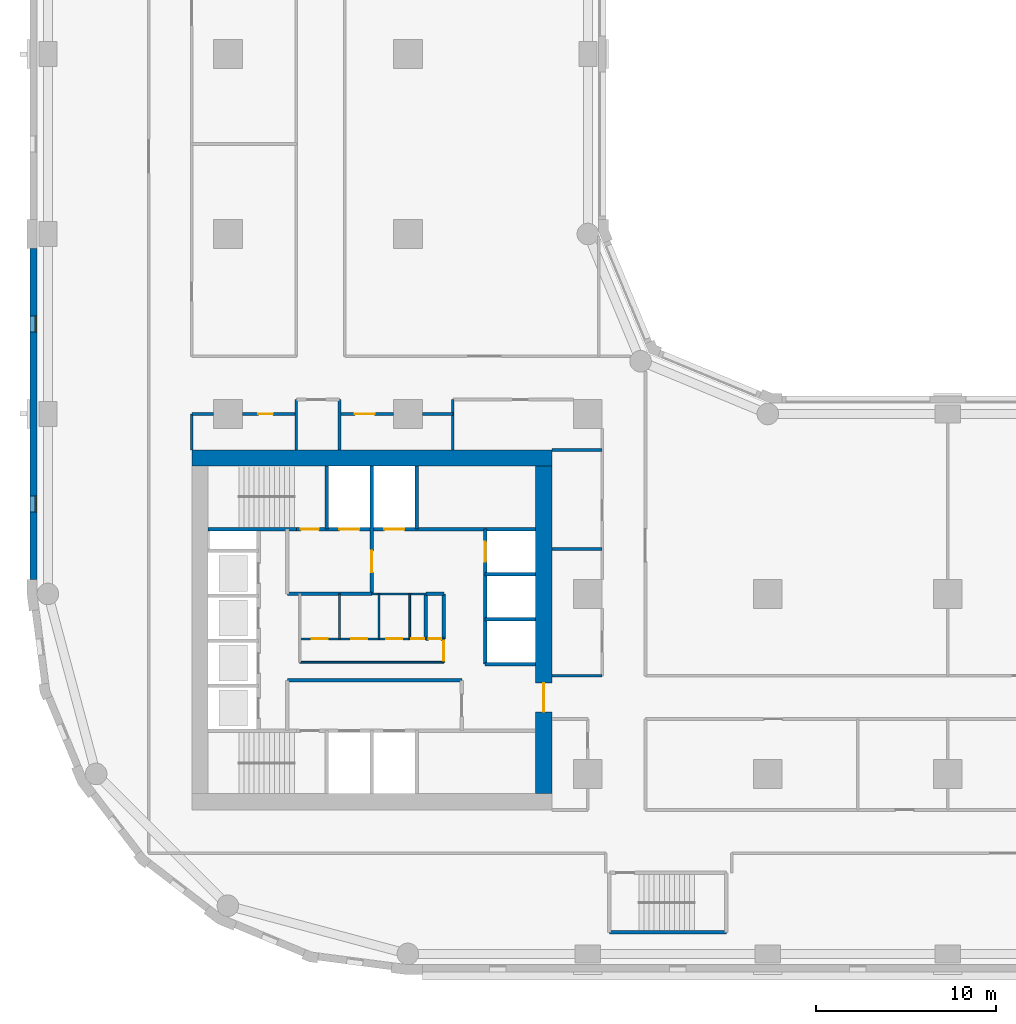
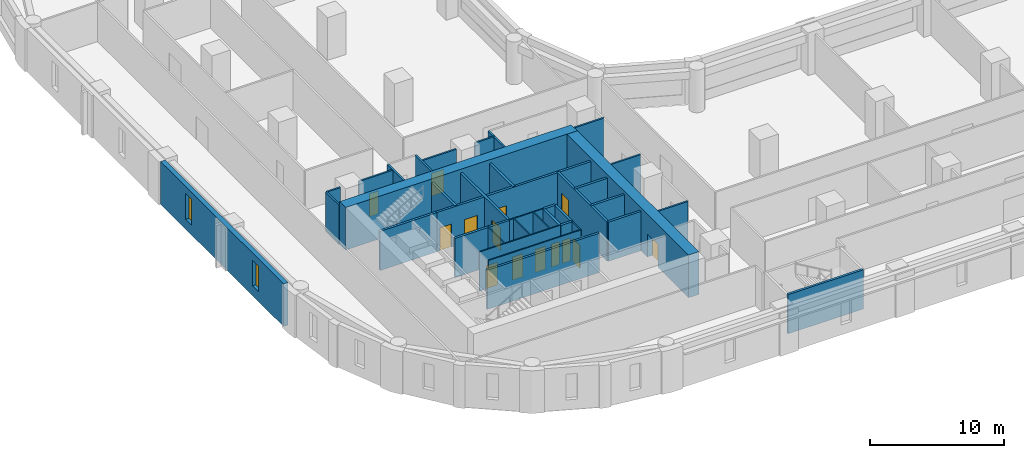
# One storey, part 3 of 10: 37 walls, 14 doors, 2 windows, 16 openings.
"""IFC4 building model written with IfcOpenShell, lengths in metres."""

from ifc_helpers import new_model, si_unit, direction, frame, frame_2d, origin, place, context, subcontext, project, spatial, rectangle, extrude, material, layer, layer_set, type_object, element, fill, save


model = new_model("IFC4")

# Units and contexts
model_context = context("Model", 3, precision=1e-05, world=origin(), true_north=direction((0.0, 1.0)))
body_context = subcontext(model_context, "Body", "Model", "MODEL_VIEW")
ifc_project = project(units=[si_unit("LENGTHUNIT", "METRE"), si_unit("AREAUNIT", "SQUARE_METRE"), si_unit("VOLUMEUNIT", "CUBIC_METRE"), si_unit("PLANEANGLEUNIT", "RADIAN"), si_unit("MASSUNIT", "GRAM", prefix="KILO")], contexts=[model_context])

# Site, building, storey
site_placement = place(None, origin())
site = spatial("IfcSite", under=ifc_project, at=site_placement, CompositionType="ELEMENT")
building_placement = place(site_placement, origin())
building = spatial("IfcBuilding", under=site, at=building_placement, Name="Qaws Garden Tower", CompositionType="ELEMENT")
storey_placement = place(building_placement, frame((0.0, 0.0, 43.199951171875)))
storey = spatial("IfcBuildingStorey", under=building, at=storey_placement, Name="L10", CompositionType="ELEMENT", Elevation=43.199951171875)

# Wall, openings, windows
ifc_material_1 = material(Name="Buff clay facing brick masonry", Category="masonry")
ifc_layer_1 = layer(ifc_material_1, 0.39990234375)
ifc_layer_set_1 = layer_set([ifc_layer_1], Name="Buff clay facing brick masonry")
wall_type_1 = type_object("IfcWallType", Name="Buff brick infill wall 400", PredefinedType="SOLIDWALL", material=ifc_layer_set_1)
wall_1_placement = place(storey_placement, frame((-0.800048828125, 39.199951171875, 0.0), z_axis=(0.0, 0.0, 1.0), x_axis=(0.0, -1.0, 0.0)))
wall_1 = element("IfcWall", 1, at=wall_1_placement, inside=storey, type_object=wall_type_1, Name="E-L10-infill-25", PredefinedType="SOLIDWALL", context=body_context, shape_type="SweptSolid", body=[
    extrude(rectangle(XDim=18.39990234375, YDim=0.39990234375, at=frame_2d((9.199951171875, 0.0))), origin(), (0.0, 0.0, 1.0), 3.900146484375),
])
opening_1_placement = place(wall_1_placement, frame((3.75, 0.0, 0.89990234375)))
opening_1 = element("IfcOpeningElement", 2, at=opening_1_placement, cuts=wall_1, Name="Opening W09", PredefinedType="OPENING", context=body_context, shape_type="SweptSolid", body=[
    extrude(rectangle(XDim=0.89990234375, YDim=2.35009765625, at=frame_2d((0.449951171875, 1.175048828125))), frame((0.0, 0.2099609375, 0.0), z_axis=(0.0, -1.0, 0.0), x_axis=(1.0, 0.0, 0.0)), (0.0, 0.0, 1.0), 0.419921875),
])
opening_2_placement = place(wall_1_placement, frame((13.75, 0.0, 0.89990234375)))
opening_2 = element("IfcOpeningElement", 3, at=opening_2_placement, cuts=wall_1, Name="Opening W09", PredefinedType="OPENING", context=body_context, shape_type="SweptSolid", body=[
    extrude(rectangle(XDim=0.89990234375, YDim=2.35009765625, at=frame_2d((0.449951171875, 1.175048828125))), frame((0.0, 0.2099609375, 0.0), z_axis=(0.0, -1.0, 0.0), x_axis=(1.0, 0.0, 0.0)), (0.0, 0.0, 1.0), 0.419921875),
])
ifc_material_2 = material(Name="Aluminium framed window, clear glazing", Category="aluminium")
window_type = type_object("IfcWindowType", Name="Slit window 900 x 2350", PartitioningType="SINGLE_PANEL", PredefinedType="WINDOW", material=ifc_material_2)
window_1_placement = place(opening_1_placement, origin())
window_1 = element("IfcWindow", 4, at=window_1_placement, inside=storey, type_object=window_type, Name="E-L10-window-25-0", OverallHeight=2.35009765625, OverallWidth=0.89990234375, PartitioningType="SINGLE_PANEL", PredefinedType="WINDOW", context=body_context, shape_type="SweptSolid", body=[
    extrude(rectangle(XDim=0.89990234375, YDim=2.35009765625, at=frame_2d((0.449951171875, 1.175048828125))), frame((0.0, 0.159912109375, 0.0), z_axis=(0.0, -1.0, 0.0), x_axis=(1.0, 0.0, 0.0)), (0.0, 0.0, 1.0), 0.06005859375),
])
fill(opening_1, window_1)
window_2_placement = place(opening_2_placement, origin())
window_2 = element("IfcWindow", 5, at=window_2_placement, inside=storey, type_object=window_type, Name="E-L10-window-26-0", OverallHeight=2.35009765625, OverallWidth=0.89990234375, PartitioningType="SINGLE_PANEL", PredefinedType="WINDOW", context=body_context, shape_type="SweptSolid", body=[
    extrude(rectangle(XDim=0.89990234375, YDim=2.35009765625, at=frame_2d((0.449951171875, 1.175048828125))), frame((0.0, 0.159912109375, 0.0), z_axis=(0.0, -1.0, 0.0), x_axis=(1.0, 0.0, 0.0)), (0.0, 0.0, 1.0), 0.06005859375),
])
fill(opening_2, window_2)

# Wall
ifc_material_3 = material(Name="Plasterboard")
ifc_layer_2 = layer(ifc_material_3, 0.10009765625)
ifc_layer_set_2 = layer_set([ifc_layer_2], Name="Plasterboard")
wall_type_2 = type_object("IfcWallType", Name="Core partition 100", PredefinedType="PARTITIONING", material=ifc_layer_set_2)
wall_2_placement = place(storey_placement, frame((14.0, 16.199951171875, 0.0), z_axis=(0.0, 0.0, 1.0), x_axis=(1.0, 0.0, 0.0)))
element("IfcWall", 6, at=wall_2_placement, inside=storey, type_object=wall_type_2, Name="Core partition", PredefinedType="PARTITIONING", context=body_context, shape_type="SweptSolid", body=[
    extrude(rectangle(XDim=8.0, YDim=0.10009765625, at=frame_2d((4.0, 0.0))), origin(), (0.0, 0.0, 1.0), 3.580078125),
])

# Wall, openings, doors
wall_3_placement = place(storey_placement, frame((14.0, 17.5, 0.0), z_axis=(0.0, 0.0, 1.0), x_axis=(1.0, 0.0, 0.0)))
wall_3 = element("IfcWall", 7, at=wall_3_placement, inside=storey, type_object=wall_type_2, Name="Core partition", PredefinedType="PARTITIONING", context=body_context, shape_type="SweptSolid", body=[
    extrude(rectangle(XDim=7.0, YDim=0.10009765625, at=frame_2d((3.5, 0.0))), origin(), (0.0, 0.0, 1.0), 3.580078125),
])
opening_3_placement = place(wall_3_placement, frame((0.64990234375, 0.0, 0.0)))
opening_3 = element("IfcOpeningElement", 8, at=opening_3_placement, cuts=wall_3, Name="Opening WD18", PredefinedType="OPENING", context=body_context, shape_type="SweptSolid", body=[
    extrude(rectangle(XDim=0.89990234375, YDim=2.10009765625, at=frame_2d((0.449951171875, 1.050048828125))), frame((0.0, 0.06005859375, 0.0), z_axis=(0.0, -1.0, 0.0), x_axis=(1.0, 0.0, 0.0)), (0.0, 0.0, 1.0), 0.1201171875),
])
opening_4_placement = place(wall_3_placement, frame((2.85009765625, 0.0, 0.0)))
opening_4 = element("IfcOpeningElement", 9, at=opening_4_placement, cuts=wall_3, Name="Opening WD19", PredefinedType="OPENING", context=body_context, shape_type="SweptSolid", body=[
    extrude(rectangle(XDim=0.89990234375, YDim=2.10009765625, at=frame_2d((0.449951171875, 1.050048828125))), frame((0.0, 0.06005859375, 0.0), z_axis=(0.0, -1.0, 0.0), x_axis=(1.0, 0.0, 0.0)), (0.0, 0.0, 1.0), 0.1201171875),
])
opening_5_placement = place(wall_3_placement, frame((4.800048828125, 0.0, 0.0)))
opening_5 = element("IfcOpeningElement", 10, at=opening_5_placement, cuts=wall_3, Name="Opening WD20", PredefinedType="OPENING", context=body_context, shape_type="SweptSolid", body=[
    extrude(rectangle(XDim=0.89990234375, YDim=2.10009765625, at=frame_2d((0.449951171875, 1.050048828125))), frame((0.0, 0.06005859375, 0.0), z_axis=(0.0, -1.0, 0.0), x_axis=(1.0, 0.0, 0.0)), (0.0, 0.0, 1.0), 0.1201171875),
])
opening_6_placement = place(wall_3_placement, frame((6.199951171875, 0.0, 0.0)))
opening_6 = element("IfcOpeningElement", 11, at=opening_6_placement, cuts=wall_3, Name="Opening XD21", PredefinedType="OPENING", context=body_context, shape_type="SweptSolid", body=[
    extrude(rectangle(XDim=0.699951171875, YDim=2.10009765625, at=frame_2d((0.35009765625, 1.050048828125))), frame((0.0, 0.06005859375, 0.0), z_axis=(0.0, -1.0, 0.0), x_axis=(1.0, 0.0, 0.0)), (0.0, 0.0, 1.0), 0.1201171875),
])
ifc_material_4 = material(Name="Timber", Category="wood")
door_type_1 = type_object("IfcDoorType", Name="Store door 700x2100", OperationType="SINGLE_SWING_LEFT", PredefinedType="DOOR", material=ifc_material_4)
door_1_placement = place(opening_6_placement, origin())
door_1 = element("IfcDoor", 12, at=door_1_placement, inside=storey, type_object=door_type_1, Name="Cleaner's store door", OperationType="SINGLE_SWING_RIGHT", OverallHeight=2.10009765625, OverallWidth=0.699951171875, PredefinedType="DOOR", context=body_context, shape_type="SweptSolid", body=[
    extrude(rectangle(XDim=0.699951171875, YDim=2.10009765625, at=frame_2d((0.35009765625, 1.050048828125))), frame((0.0, 0.02490234375, 0.0), z_axis=(0.0, -1.0, 0.0), x_axis=(1.0, 0.0, 0.0)), (0.0, 0.0, 1.0), 0.050048828125),
])
fill(opening_6, door_1)
ifc_material_5 = material(Name="Timber", Category="wood")
door_type_2 = type_object("IfcDoorType", Name="WC door 900x2100", OperationType="SINGLE_SWING_LEFT", PredefinedType="DOOR", material=ifc_material_5)
door_2_placement = place(opening_3_placement, origin())
door_2 = element("IfcDoor", 13, at=door_2_placement, inside=storey, type_object=door_type_2, Name="Men's WC door", OperationType="SINGLE_SWING_RIGHT", OverallHeight=2.10009765625, OverallWidth=0.89990234375, PredefinedType="DOOR", context=body_context, shape_type="SweptSolid", body=[
    extrude(rectangle(XDim=0.89990234375, YDim=2.10009765625, at=frame_2d((0.449951171875, 1.050048828125))), frame((0.0, 0.02490234375, 0.0), z_axis=(0.0, -1.0, 0.0), x_axis=(1.0, 0.0, 0.0)), (0.0, 0.0, 1.0), 0.050048828125),
])
fill(opening_3, door_2)
door_3_placement = place(opening_4_placement, origin())
door_3 = element("IfcDoor", 14, at=door_3_placement, inside=storey, type_object=door_type_2, Name="Women's WC door", OperationType="SINGLE_SWING_RIGHT", OverallHeight=2.10009765625, OverallWidth=0.89990234375, PredefinedType="DOOR", context=body_context, shape_type="SweptSolid", body=[
    extrude(rectangle(XDim=0.89990234375, YDim=2.10009765625, at=frame_2d((0.449951171875, 1.050048828125))), frame((0.0, 0.02490234375, 0.0), z_axis=(0.0, -1.0, 0.0), x_axis=(1.0, 0.0, 0.0)), (0.0, 0.0, 1.0), 0.050048828125),
])
fill(opening_4, door_3)
door_4_placement = place(opening_5_placement, origin())
door_4 = element("IfcDoor", 15, at=door_4_placement, inside=storey, type_object=door_type_2, Name="Accessible WC door", OperationType="SINGLE_SWING_RIGHT", OverallHeight=2.10009765625, OverallWidth=0.89990234375, PredefinedType="DOOR", context=body_context, shape_type="SweptSolid", body=[
    extrude(rectangle(XDim=0.89990234375, YDim=2.10009765625, at=frame_2d((0.449951171875, 1.050048828125))), frame((0.0, 0.02490234375, 0.0), z_axis=(0.0, -1.0, 0.0), x_axis=(1.0, 0.0, 0.0)), (0.0, 0.0, 1.0), 0.050048828125),
])
fill(opening_5, door_4)

# Walls
wall_4_placement = place(storey_placement, frame((18.0, 20.0, 0.0), z_axis=(0.0, 0.0, 1.0), x_axis=(1.0, 0.0, 0.0)))
element("IfcWall", 16, at=wall_4_placement, inside=storey, type_object=wall_type_2, Name="Core partition", PredefinedType="PARTITIONING", context=body_context, shape_type="SweptSolid", body=[
    extrude(rectangle(XDim=3.0, YDim=0.10009765625, at=frame_2d((1.5, 0.0))), origin(), (0.0, 0.0, 1.0), 3.580078125),
])
for number, where, z_axis, x_axis, name in (
    (17, (16.199951171875, 17.5, 0.0), (0.0, 0.0, 1.0), (0.0, 1.0, 0.0), "Core partition"),
    (18, (18.39990234375, 17.5, 0.0), (0.0, 0.0, 1.0), (0.0, 1.0, 0.0), "Core partition"),
    (19, (20.10009765625, 17.5, 0.0), (0.0, 0.0, 1.0), (0.0, 1.0, 0.0), "Core partition"),
):
    element("IfcWall", number, at=place(storey_placement, frame(where, z_axis=z_axis, x_axis=x_axis)), inside=storey, type_object=wall_type_2, Name=name, PredefinedType="PARTITIONING", context=body_context, shape_type="SweptSolid", body=[
        extrude(rectangle(XDim=2.5, YDim=0.10009765625, at=frame_2d((1.25, 0.0))), origin(), (0.0, 0.0, 1.0), 3.580078125),
    ])

# Wall, opening, door
wall_5_placement = place(storey_placement, frame((22.0, 16.199951171875, 0.0), z_axis=(0.0, 0.0, 1.0), x_axis=(0.0, 1.0, 0.0)))
wall_5 = element("IfcWall", 20, at=wall_5_placement, inside=storey, type_object=wall_type_2, Name="Core partition", PredefinedType="PARTITIONING", context=body_context, shape_type="SweptSolid", body=[
    extrude(rectangle(XDim=1.300048828125, YDim=0.10009765625, at=frame_2d((0.64990234375, 0.0))), origin(), (0.0, 0.0, 1.0), 3.580078125),
])
opening_7_placement = place(wall_5_placement, frame((0.10009765625, 0.0, 0.0)))
opening_7 = element("IfcOpeningElement", 21, at=opening_7_placement, cuts=wall_5, Name="Opening WL17", PredefinedType="OPENING", context=body_context, shape_type="SweptSolid", body=[
    extrude(rectangle(XDim=1.10009765625, YDim=2.10009765625, at=frame_2d((0.550048828125, 1.050048828125))), frame((0.0, 0.06005859375, 0.0), z_axis=(0.0, -1.0, 0.0), x_axis=(1.0, 0.0, 0.0)), (0.0, 0.0, 1.0), 0.1201171875),
])
ifc_material_6 = material(Name="Timber", Category="wood")
door_type_3 = type_object("IfcDoorType", Name="WC lobby door 1100x2100", OperationType="SINGLE_SWING_LEFT", PredefinedType="DOOR", material=ifc_material_6)
door_5_placement = place(opening_7_placement, origin())
door_5 = element("IfcDoor", 22, at=door_5_placement, inside=storey, type_object=door_type_3, Name="WC lobby door", OperationType="SINGLE_SWING_RIGHT", OverallHeight=2.10009765625, OverallWidth=1.10009765625, PredefinedType="DOOR", context=body_context, shape_type="SweptSolid", body=[
    extrude(rectangle(XDim=1.10009765625, YDim=2.10009765625, at=frame_2d((0.550048828125, 1.050048828125))), frame((0.0, 0.02490234375, 0.0), z_axis=(0.0, -1.0, 0.0), x_axis=(1.0, 0.0, 0.0)), (0.0, 0.0, 1.0), 0.050048828125),
])
fill(opening_7, door_5)

# Walls
ifc_material_7 = material(Name="Concrete C80", Category="concrete")
ifc_layer_3 = layer(ifc_material_7, 0.199951171875)
ifc_layer_set_3 = layer_set([ifc_layer_3], Name="Concrete C80")
wall_type_3 = type_object("IfcWallType", Name="Core shaft wall 200 C80", PredefinedType="SHEAR", material=ifc_layer_set_3)
wall_6_placement = place(storey_placement, frame((31.199951171875, 1.199951171875, 0.0), z_axis=(0.0, 0.0, 1.0), x_axis=(1.0, 0.0, 0.0)))
element("IfcWall", 23, at=wall_6_placement, inside=storey, type_object=wall_type_3, Name="Shaft wall", PredefinedType="SHEAR", context=body_context, shape_type="SweptSolid", body=[
    extrude(rectangle(XDim=6.5, YDim=0.199951171875, at=frame_2d((3.25, 0.0))), origin(), (0.0, 0.0, 1.0), 3.580078125),
])
wall_7_placement = place(storey_placement, frame((13.300048828125, 15.199951171875, 0.0), z_axis=(0.0, 0.0, 1.0), x_axis=(1.0, 0.0, 0.0)))
element("IfcWall", 24, at=wall_7_placement, inside=storey, type_object=wall_type_3, Name="Shaft wall", PredefinedType="SHEAR", context=body_context, shape_type="SweptSolid", body=[
    extrude(rectangle(XDim=9.699951171875, YDim=0.199951171875, at=frame_2d((4.85009765625, 0.0))), origin(), (0.0, 0.0, 1.0), 3.580078125),
])
wall_8_placement = place(storey_placement, frame((24.300048828125, 16.10009765625, 0.0), z_axis=(0.0, 0.0, 1.0), x_axis=(1.0, 0.0, 0.0)))
element("IfcWall", 25, at=wall_8_placement, inside=storey, type_object=wall_type_3, Name="Shaft wall", PredefinedType="SHEAR", context=body_context, shape_type="SweptSolid", body=[
    extrude(rectangle(XDim=2.800048828125, YDim=0.199951171875, at=frame_2d((1.39990234375, 0.0))), origin(), (0.0, 0.0, 1.0), 3.580078125),
])

# Wall, opening, door
wall_9_placement = place(storey_placement, frame((21.0, 17.5, 0.0), z_axis=(0.0, 0.0, 1.0), x_axis=(1.0, 0.0, 0.0)))
wall_9 = element("IfcWall", 26, at=wall_9_placement, inside=storey, type_object=wall_type_3, Name="Shaft wall", PredefinedType="SHEAR", context=body_context, shape_type="SweptSolid", body=[
    extrude(rectangle(XDim=1.0, YDim=0.199951171875, at=frame_2d((0.5, 0.0))), origin(), (0.0, 0.0, 1.0), 3.580078125),
])
opening_8_placement = place(wall_9_placement, frame((0.14990234375, 0.0, 0.0)))
opening_8 = element("IfcOpeningElement", 27, at=opening_8_placement, cuts=wall_9, Name="Opening XD22", PredefinedType="OPENING", context=body_context, shape_type="SweptSolid", body=[
    extrude(rectangle(XDim=0.699951171875, YDim=2.10009765625, at=frame_2d((0.35009765625, 1.050048828125))), frame((0.0, 0.10986328125, 0.0), z_axis=(0.0, -1.0, 0.0), x_axis=(1.0, 0.0, 0.0)), (0.0, 0.0, 1.0), 0.219970703125),
])
door_6_placement = place(opening_8_placement, origin())
door_6 = element("IfcDoor", 28, at=door_6_placement, inside=storey, type_object=door_type_1, Name="Telecom riser door", OperationType="SINGLE_SWING_RIGHT", OverallHeight=2.10009765625, OverallWidth=0.699951171875, PredefinedType="DOOR", context=body_context, shape_type="SweptSolid", body=[
    extrude(rectangle(XDim=0.699951171875, YDim=2.10009765625, at=frame_2d((0.35009765625, 1.050048828125))), frame((0.0, 0.02490234375, 0.0), z_axis=(0.0, -1.0, 0.0), x_axis=(1.0, 0.0, 0.0)), (0.0, 0.0, 1.0), 0.050048828125),
])
fill(opening_8, door_6)

# Walls
wall_10_placement = place(storey_placement, frame((24.300048828125, 18.60009765625, 0.0), z_axis=(0.0, 0.0, 1.0), x_axis=(1.0, 0.0, 0.0)))
element("IfcWall", 29, at=wall_10_placement, inside=storey, type_object=wall_type_3, Name="Shaft wall", PredefinedType="SHEAR", context=body_context, shape_type="SweptSolid", body=[
    extrude(rectangle(XDim=2.800048828125, YDim=0.199951171875, at=frame_2d((1.39990234375, 0.0))), origin(), (0.0, 0.0, 1.0), 3.580078125),
])
wall_11_placement = place(storey_placement, frame((13.300048828125, 20.0, 0.0), z_axis=(0.0, 0.0, 1.0), x_axis=(1.0, 0.0, 0.0)))
element("IfcWall", 30, at=wall_11_placement, inside=storey, type_object=wall_type_3, Name="Shaft wall", PredefinedType="SHEAR", context=body_context, shape_type="SweptSolid", body=[
    extrude(rectangle(XDim=4.699951171875, YDim=0.199951171875, at=frame_2d((2.35009765625, 0.0))), origin(), (0.0, 0.0, 1.0), 3.580078125),
])
wall_12_placement = place(storey_placement, frame((21.0, 20.0, 0.0), z_axis=(0.0, 0.0, 1.0), x_axis=(1.0, 0.0, 0.0)))
element("IfcWall", 31, at=wall_12_placement, inside=storey, type_object=wall_type_3, Name="Shaft wall", PredefinedType="SHEAR", context=body_context, shape_type="SweptSolid", body=[
    extrude(rectangle(XDim=1.0, YDim=0.199951171875, at=frame_2d((0.5, 0.0))), origin(), (0.0, 0.0, 1.0), 3.580078125),
])
wall_13_placement = place(storey_placement, frame((24.300048828125, 21.10009765625, 0.0), z_axis=(0.0, 0.0, 1.0), x_axis=(1.0, 0.0, 0.0)))
element("IfcWall", 32, at=wall_13_placement, inside=storey, type_object=wall_type_3, Name="Shaft wall", PredefinedType="SHEAR", context=body_context, shape_type="SweptSolid", body=[
    extrude(rectangle(XDim=2.800048828125, YDim=0.199951171875, at=frame_2d((1.39990234375, 0.0))), origin(), (0.0, 0.0, 1.0), 3.580078125),
])
wall_14_placement = place(storey_placement, frame((8.89990234375, 23.60009765625, 0.0), z_axis=(0.0, 0.0, 1.0), x_axis=(1.0, 0.0, 0.0)))
element("IfcWall", 33, at=wall_14_placement, inside=storey, type_object=wall_type_3, Name="Shaft wall", PredefinedType="SHEAR", context=body_context, shape_type="SweptSolid", body=[
    extrude(rectangle(XDim=4.900146484375, YDim=0.199951171875, at=frame_2d((2.4501953125, 0.0))), origin(), (0.0, 0.0, 1.0), 3.580078125),
])

# Wall, openings, doors
wall_15_placement = place(storey_placement, frame((13.800048828125, 23.60009765625, 0.0), z_axis=(0.0, 0.0, 1.0), x_axis=(1.0, 0.0, 0.0)))
wall_15 = element("IfcWall", 34, at=wall_15_placement, inside=storey, type_object=wall_type_3, Name="Shaft wall", PredefinedType="SHEAR", context=body_context, shape_type="SweptSolid", body=[
    extrude(rectangle(XDim=13.300048828125, YDim=0.199951171875, at=frame_2d((6.64990234375, 0.0))), origin(), (0.0, 0.0, 1.0), 3.580078125),
])
opening_9_placement = place(wall_15_placement, frame((2.39990234375, 0.0, 0.0)))
opening_9 = element("IfcOpeningElement", 35, at=opening_9_placement, cuts=wall_15, Name="Opening LD08", PredefinedType="OPENING", context=body_context, shape_type="SweptSolid", body=[
    extrude(rectangle(XDim=1.10009765625, YDim=2.10009765625, at=frame_2d((0.550048828125, 1.050048828125))), frame((0.0, 0.10986328125, 0.0), z_axis=(0.0, -1.0, 0.0), x_axis=(1.0, 0.0, 0.0)), (0.0, 0.0, 1.0), 0.219970703125),
])
opening_10_placement = place(wall_15_placement, frame((4.89990234375, 0.0, 0.0)))
opening_10 = element("IfcOpeningElement", 36, at=opening_10_placement, cuts=wall_15, Name="Opening LD09", PredefinedType="OPENING", context=body_context, shape_type="SweptSolid", body=[
    extrude(rectangle(XDim=1.10009765625, YDim=2.10009765625, at=frame_2d((0.550048828125, 1.050048828125))), frame((0.0, 0.10986328125, 0.0), z_axis=(0.0, -1.0, 0.0), x_axis=(1.0, 0.0, 0.0)), (0.0, 0.0, 1.0), 0.219970703125),
])
opening_11_placement = place(wall_15_placement, frame((0.25, 0.0, 0.0)))
opening_11 = element("IfcOpeningElement", 37, at=opening_11_placement, cuts=wall_15, Name="Opening SD11", PredefinedType="OPENING", context=body_context, shape_type="SweptSolid", body=[
    extrude(rectangle(XDim=1.0, YDim=2.10009765625, at=frame_2d((0.5, 1.050048828125))), frame((0.0, 0.10986328125, 0.0), z_axis=(0.0, -1.0, 0.0), x_axis=(1.0, 0.0, 0.0)), (0.0, 0.0, 1.0), 0.219970703125),
])
ifc_material_8 = material(Name="Steel S235", Category="steel")
door_type_4 = type_object("IfcDoorType", Name="Landing door 1100x2100", OperationType="DOUBLE_DOOR_SLIDING", PredefinedType="DOOR", material=ifc_material_8)
door_7_placement = place(opening_9_placement, origin())
door_7 = element("IfcDoor", 38, at=door_7_placement, inside=storey, type_object=door_type_4, Name="Lift FF3 landing door", OperationType="DOUBLE_DOOR_SLIDING", OverallHeight=2.10009765625, OverallWidth=1.10009765625, PredefinedType="DOOR", context=body_context, shape_type="SweptSolid", body=[
    extrude(rectangle(XDim=1.10009765625, YDim=2.10009765625, at=frame_2d((0.550048828125, 1.050048828125))), frame((0.0, 0.02490234375, 0.0), z_axis=(0.0, -1.0, 0.0), x_axis=(1.0, 0.0, 0.0)), (0.0, 0.0, 1.0), 0.050048828125),
])
fill(opening_9, door_7)
door_8_placement = place(opening_10_placement, origin())
door_8 = element("IfcDoor", 39, at=door_8_placement, inside=storey, type_object=door_type_4, Name="Lift SV2 landing door", OperationType="DOUBLE_DOOR_SLIDING", OverallHeight=2.10009765625, OverallWidth=1.10009765625, PredefinedType="DOOR", context=body_context, shape_type="SweptSolid", body=[
    extrude(rectangle(XDim=1.10009765625, YDim=2.10009765625, at=frame_2d((0.550048828125, 1.050048828125))), frame((0.0, 0.02490234375, 0.0), z_axis=(0.0, -1.0, 0.0), x_axis=(1.0, 0.0, 0.0)), (0.0, 0.0, 1.0), 0.050048828125),
])
fill(opening_10, door_8)
ifc_material_9 = material(Name="Steel S235", Category="steel")
door_type_5 = type_object("IfcDoorType", Name="Stair door 1000x2100", OperationType="SINGLE_SWING_RIGHT", PredefinedType="DOOR", material=ifc_material_9)
door_9_placement = place(opening_11_placement, origin())
door_9 = element("IfcDoor", 40, at=door_9_placement, inside=storey, type_object=door_type_5, Name="Stair 4 door", OperationType="SINGLE_SWING_RIGHT", OverallHeight=2.10009765625, OverallWidth=1.0, PredefinedType="DOOR", context=body_context, shape_type="SweptSolid", body=[
    extrude(rectangle(XDim=1.0, YDim=2.10009765625, at=frame_2d((0.5, 1.050048828125))), frame((0.0, 0.02490234375, 0.0), z_axis=(0.0, -1.0, 0.0), x_axis=(1.0, 0.0, 0.0)), (0.0, 0.0, 1.0), 0.050048828125),
])
fill(opening_11, door_9)

# Wall
wall_16_placement = place(storey_placement, frame((15.5, 23.60009765625, 0.0), z_axis=(0.0, 0.0, 1.0), x_axis=(0.0, 1.0, 0.0)))
element("IfcWall", 41, at=wall_16_placement, inside=storey, type_object=wall_type_3, Name="Shaft wall", PredefinedType="SHEAR", context=body_context, shape_type="SweptSolid", body=[
    extrude(rectangle(XDim=3.5, YDim=0.199951171875, at=frame_2d((1.75, 0.0))), origin(), (0.0, 0.0, 1.0), 3.580078125),
])

# Wall, opening, door
wall_17_placement = place(storey_placement, frame((18.0, 20.0, 0.0), z_axis=(0.0, 0.0, 1.0), x_axis=(0.0, 1.0, 0.0)))
wall_17 = element("IfcWall", 42, at=wall_17_placement, inside=storey, type_object=wall_type_3, Name="Shaft wall", PredefinedType="SHEAR", context=body_context, shape_type="SweptSolid", body=[
    extrude(rectangle(XDim=7.10009765625, YDim=0.199951171875, at=frame_2d((3.550048828125, 0.0))), origin(), (0.0, 0.0, 1.0), 3.580078125),
])
opening_12_placement = place(wall_17_placement, frame((1.199951171875, 0.0, 0.0)))
opening_12 = element("IfcOpeningElement", 43, at=opening_12_placement, cuts=wall_17, Name="Opening FD16", PredefinedType="OPENING", context=body_context, shape_type="SweptSolid", body=[
    extrude(rectangle(XDim=1.199951171875, YDim=2.10009765625, at=frame_2d((0.60009765625, 1.050048828125))), frame((0.0, 0.10986328125, 0.0), z_axis=(0.0, -1.0, 0.0), x_axis=(1.0, 0.0, 0.0)), (0.0, 0.0, 1.0), 0.219970703125),
])
ifc_material_10 = material(Name="Steel S235", Category="steel")
door_type_6 = type_object("IfcDoorType", Name="Lobby door 1200x2100", OperationType="DOUBLE_DOOR_SINGLE_SWING", PredefinedType="DOOR", material=ifc_material_10)
door_10_placement = place(opening_12_placement, origin())
door_10 = element("IfcDoor", 44, at=door_10_placement, inside=storey, type_object=door_type_6, Name="Fire-fighting lobby door", OperationType="DOUBLE_DOOR_SINGLE_SWING", OverallHeight=2.10009765625, OverallWidth=1.199951171875, PredefinedType="DOOR", context=body_context, shape_type="SweptSolid", body=[
    extrude(rectangle(XDim=1.199951171875, YDim=2.10009765625, at=frame_2d((0.60009765625, 1.050048828125))), frame((0.0, 0.02490234375, 0.0), z_axis=(0.0, -1.0, 0.0), x_axis=(1.0, 0.0, 0.0)), (0.0, 0.0, 1.0), 0.050048828125),
])
fill(opening_12, door_10)

# Walls
wall_18_placement = place(storey_placement, frame((20.5, 23.60009765625, 0.0), z_axis=(0.0, 0.0, 1.0), x_axis=(0.0, 1.0, 0.0)))
element("IfcWall", 45, at=wall_18_placement, inside=storey, type_object=wall_type_3, Name="Shaft wall", PredefinedType="SHEAR", context=body_context, shape_type="SweptSolid", body=[
    extrude(rectangle(XDim=3.5, YDim=0.199951171875, at=frame_2d((1.75, 0.0))), origin(), (0.0, 0.0, 1.0), 3.580078125),
])
for number, where, z_axis, x_axis, name in (
    (46, (21.0, 17.5, 0.0), (0.0, 0.0, 1.0), (0.0, 1.0, 0.0), "Shaft wall"),
    (47, (22.0, 17.5, 0.0), (0.0, 0.0, 1.0), (0.0, 1.0, 0.0), "Shaft wall"),
):
    element("IfcWall", number, at=place(storey_placement, frame(where, z_axis=z_axis, x_axis=x_axis)), inside=storey, type_object=wall_type_3, Name=name, PredefinedType="SHEAR", context=body_context, shape_type="SweptSolid", body=[
        extrude(rectangle(XDim=2.5, YDim=0.199951171875, at=frame_2d((1.25, 0.0))), origin(), (0.0, 0.0, 1.0), 3.580078125),
    ])

# Wall, opening, door
wall_19_placement = place(storey_placement, frame((24.300048828125, 16.10009765625, 0.0), z_axis=(0.0, 0.0, 1.0), x_axis=(0.0, 1.0, 0.0)))
wall_19 = element("IfcWall", 48, at=wall_19_placement, inside=storey, type_object=wall_type_3, Name="Shaft wall", PredefinedType="SHEAR", context=body_context, shape_type="SweptSolid", body=[
    extrude(rectangle(XDim=7.5, YDim=0.199951171875, at=frame_2d((3.75, 0.0))), origin(), (0.0, 0.0, 1.0), 3.580078125),
])
opening_13_placement = place(wall_19_placement, frame((5.699951171875, 0.0, 0.0)))
opening_13 = element("IfcOpeningElement", 49, at=opening_13_placement, cuts=wall_19, Name="Opening LD05", PredefinedType="OPENING", context=body_context, shape_type="SweptSolid", body=[
    extrude(rectangle(XDim=1.10009765625, YDim=2.10009765625, at=frame_2d((0.550048828125, 1.050048828125))), frame((0.0, 0.10986328125, 0.0), z_axis=(0.0, -1.0, 0.0), x_axis=(1.0, 0.0, 0.0)), (0.0, 0.0, 1.0), 0.219970703125),
])
door_11_placement = place(opening_13_placement, origin())
door_11 = element("IfcDoor", 50, at=door_11_placement, inside=storey, type_object=door_type_4, Name="Lift E3 landing door", OperationType="DOUBLE_DOOR_SLIDING", OverallHeight=2.10009765625, OverallWidth=1.10009765625, PredefinedType="DOOR", context=body_context, shape_type="SweptSolid", body=[
    extrude(rectangle(XDim=1.10009765625, YDim=2.10009765625, at=frame_2d((0.550048828125, 1.050048828125))), frame((0.0, 0.02490234375, 0.0), z_axis=(0.0, -1.0, 0.0), x_axis=(1.0, 0.0, 0.0)), (0.0, 0.0, 1.0), 0.050048828125),
])
fill(opening_13, door_11)

ifc_material_11 = material(Name="Concrete C80", Category="concrete")
ifc_layer_4 = layer(ifc_material_11, 0.89990234375)
ifc_layer_set_4 = layer_set([ifc_layer_4], Name="Concrete C80")
wall_type_4 = type_object("IfcWallType", Name="Core wall 900 C80", PredefinedType="SHEAR", material=ifc_layer_set_4)
wall_20_placement = place(storey_placement, frame((27.550048828125, 8.89990234375, 0.0), z_axis=(0.0, 0.0, 1.0), x_axis=(0.0, 1.0, 0.0)))
wall_20 = element("IfcWall", 51, at=wall_20_placement, inside=storey, type_object=wall_type_4, Name="Core wall L10 east", PredefinedType="SHEAR", context=body_context, shape_type="SweptSolid", body=[
    extrude(rectangle(XDim=18.2001953125, YDim=0.89990234375, at=frame_2d((9.10009765625, 0.0))), origin(), (0.0, 0.0, 1.0), 3.900146484375),
])
opening_14_placement = place(wall_20_placement, frame((4.550048828125, 0.0, 0.0)))
opening_14 = element("IfcOpeningElement", 52, at=opening_14_placement, cuts=wall_20, Name="Opening ED23", PredefinedType="OPENING", context=body_context, shape_type="SweptSolid", body=[
    extrude(rectangle(XDim=1.60009765625, YDim=2.10009765625, at=frame_2d((0.800048828125, 1.050048828125))), frame((0.0, 0.4599609375, 0.0), z_axis=(0.0, -1.0, 0.0), x_axis=(1.0, 0.0, 0.0)), (0.0, 0.0, 1.0), 0.919921875),
])
ifc_material_12 = material(Name="Steel S235", Category="steel")
door_type_7 = type_object("IfcDoorType", Name="Core entrance door 1600x2100", OperationType="DOUBLE_DOOR_SINGLE_SWING", PredefinedType="DOOR", material=ifc_material_12)
door_12_placement = place(opening_14_placement, origin())
door_12 = element("IfcDoor", 53, at=door_12_placement, inside=storey, type_object=door_type_7, Name="Core entrance door", OperationType="DOUBLE_DOOR_SINGLE_SWING", OverallHeight=2.10009765625, OverallWidth=1.60009765625, PredefinedType="DOOR", context=body_context, shape_type="SweptSolid", body=[
    extrude(rectangle(XDim=1.60009765625, YDim=2.10009765625, at=frame_2d((0.800048828125, 1.050048828125))), frame((0.0, 0.02490234375, 0.0), z_axis=(0.0, -1.0, 0.0), x_axis=(1.0, 0.0, 0.0)), (0.0, 0.0, 1.0), 0.050048828125),
])
fill(opening_14, door_12)

# Walls
wall_21_placement = place(storey_placement, frame((28.0, 27.550048828125, 0.0), z_axis=(0.0, 0.0, 1.0), x_axis=(-1.0, 0.0, 0.0)))
element("IfcWall", 54, at=wall_21_placement, inside=storey, type_object=wall_type_4, Name="Core wall L10 north", PredefinedType="SHEAR", context=body_context, shape_type="SweptSolid", body=[
    extrude(rectangle(XDim=20.0, YDim=0.89990234375, at=frame_2d((10.0, 0.0))), origin(), (0.0, 0.0, 1.0), 3.900146484375),
])
ifc_material_13 = material(Name="Gypsum board partition")
ifc_layer_5 = layer(ifc_material_13, 0.14990234375)
ifc_layer_set_5 = layer_set([ifc_layer_5], Name="Gypsum board partition")
wall_type_5 = type_object("IfcWallType", Name="PARTITION 150 EI 60", PredefinedType="PARTITIONING", material=ifc_layer_set_5)
wall_22_placement = place(storey_placement, frame((8.0, 28.0, 0.0), z_axis=(0.0, 0.0, 1.0), x_axis=(0.0, 1.0, 0.0)))
element("IfcWall", 55, at=wall_22_placement, inside=storey, type_object=wall_type_5, Name="O-L10-wall-003", PredefinedType="PARTITIONING", context=body_context, shape_type="SweptSolid", body=[
    extrude(rectangle(XDim=2.0, YDim=0.14990234375, at=frame_2d((1.0, 0.0))), origin(), (0.0, 0.0, 1.0), 3.580078125),
])
for number, where, z_axis, x_axis, name in (
    (56, (13.800048828125, 28.0, 0.0), (0.0, 0.0, 1.0), (0.0, 1.0, 0.0), "O-L10-wall-006"),
    (57, (16.199951171875, 28.0, 0.0), (0.0, 0.0, 1.0), (0.0, 1.0, 0.0), "O-L10-wall-008"),
    (58, (22.5, 28.0, 0.0), (0.0, 0.0, 1.0), (0.0, 1.0, 0.0), "O-L10-wall-011"),
    (59, (28.0, 15.449951171875, 0.0), (0.0, 0.0, 1.0), (1.0, 0.0, 0.0), "O-L10-wall-037"),
    (60, (28.0, 22.5, 0.0), (0.0, 0.0, 1.0), (1.0, 0.0, 0.0), "O-L10-wall-039"),
    (61, (28.0, 28.0, 0.0), (0.0, 0.0, 1.0), (1.0, 0.0, 0.0), "O-L10-wall-040"),
):
    element("IfcWall", number, at=place(storey_placement, frame(where, z_axis=z_axis, x_axis=x_axis)), inside=storey, type_object=wall_type_5, Name=name, PredefinedType="PARTITIONING", context=body_context, shape_type="SweptSolid", body=[
        extrude(rectangle(XDim=2.800048828125, YDim=0.14990234375, at=frame_2d((1.39990234375, 0.0))), origin(), (0.0, 0.0, 1.0), 3.580078125),
    ])
wall_23_placement = place(storey_placement, frame((8.0, 30.0, 0.0), z_axis=(0.0, 0.0, 1.0), x_axis=(1.0, 0.0, 0.0)))
element("IfcWall", 62, at=wall_23_placement, inside=storey, type_object=wall_type_5, Name="O-L10-wall-041", PredefinedType="PARTITIONING", context=body_context, shape_type="SweptSolid", body=[
    extrude(rectangle(XDim=1.199951171875, YDim=0.14990234375, at=frame_2d((0.60009765625, 0.0))), origin(), (0.0, 0.0, 1.0), 3.580078125),
])

# Wall, opening, door
wall_24_placement = place(storey_placement, frame((10.800048828125, 30.0, 0.0), z_axis=(0.0, 0.0, 1.0), x_axis=(1.0, 0.0, 0.0)))
wall_24 = element("IfcWall", 63, at=wall_24_placement, inside=storey, type_object=wall_type_5, Name="O-L10-wall-042", PredefinedType="PARTITIONING", context=body_context, shape_type="SweptSolid", body=[
    extrude(rectangle(XDim=3.0, YDim=0.14990234375, at=frame_2d((1.5, 0.0))), origin(), (0.0, 0.0, 1.0), 3.580078125),
])
opening_15_placement = place(wall_24_placement, frame((0.89990234375, 0.0, 0.0)))
opening_15 = element("IfcOpeningElement", 64, at=opening_15_placement, cuts=wall_24, Name="Opening A303", PredefinedType="OPENING", context=body_context, shape_type="SweptSolid", body=[
    extrude(rectangle(XDim=0.800048828125, YDim=2.10009765625, at=frame_2d((0.39990234375, 1.050048828125))), frame((0.0, 0.0849609375, 0.0), z_axis=(0.0, -1.0, 0.0), x_axis=(1.0, 0.0, 0.0)), (0.0, 0.0, 1.0), 0.169921875),
])
ifc_material_14 = material(Name="Timber door leaf", Category="wood")
door_type_8 = type_object("IfcDoorType", Name="STORE DOOR 800 X 2100", OperationType="SINGLE_SWING_LEFT", PredefinedType="DOOR", material=ifc_material_14)
door_13_placement = place(opening_15_placement, frame((0.800048828125, 0.0, 0.0), z_axis=(0.0, 0.0, 1.0), x_axis=(-1.0, 0.0, 0.0)))
door_13 = element("IfcDoor", 65, at=door_13_placement, inside=storey, type_object=door_type_8, Name="O-L10-door-003", OperationType="SINGLE_SWING_RIGHT", OverallHeight=2.10009765625, OverallWidth=0.800048828125, PredefinedType="DOOR", context=body_context, shape_type="SweptSolid", body=[
    extrude(rectangle(XDim=0.800048828125, YDim=2.10009765625, at=frame_2d((0.39990234375, 1.050048828125))), frame((0.0, 0.02490234375, 0.0), z_axis=(0.0, -1.0, 0.0), x_axis=(1.0, 0.0, 0.0)), (0.0, 0.0, 1.0), 0.050048828125),
])
fill(opening_15, door_13)

wall_25_placement = place(storey_placement, frame((16.199951171875, 30.0, 0.0), z_axis=(0.0, 0.0, 1.0), x_axis=(1.0, 0.0, 0.0)))
wall_25 = element("IfcWall", 66, at=wall_25_placement, inside=storey, type_object=wall_type_5, Name="O-L10-wall-043", PredefinedType="PARTITIONING", context=body_context, shape_type="SweptSolid", body=[
    extrude(rectangle(XDim=3.0, YDim=0.14990234375, at=frame_2d((1.5, 0.0))), origin(), (0.0, 0.0, 1.0), 3.580078125),
])
opening_16_placement = place(wall_25_placement, frame((0.85009765625, 0.0, 0.0)))
opening_16 = element("IfcOpeningElement", 67, at=opening_16_placement, cuts=wall_25, Name="Opening A304", PredefinedType="OPENING", context=body_context, shape_type="SweptSolid", body=[
    extrude(rectangle(XDim=1.10009765625, YDim=2.10009765625, at=frame_2d((0.550048828125, 1.050048828125))), frame((0.0, 0.0849609375, 0.0), z_axis=(0.0, -1.0, 0.0), x_axis=(1.0, 0.0, 0.0)), (0.0, 0.0, 1.0), 0.169921875),
])
ifc_material_15 = material(Name="Timber door leaf", Category="wood")
door_type_9 = type_object("IfcDoorType", Name="SERVICE ROOM DOOR 1100 X 2100", OperationType="SINGLE_SWING_LEFT", PredefinedType="DOOR", material=ifc_material_15)
door_14_placement = place(opening_16_placement, frame((1.10009765625, 0.0, 0.0), z_axis=(0.0, 0.0, 1.0), x_axis=(-1.0, 0.0, 0.0)))
door_14 = element("IfcDoor", 68, at=door_14_placement, inside=storey, type_object=door_type_9, Name="O-L10-door-004", OperationType="SINGLE_SWING_RIGHT", OverallHeight=2.10009765625, OverallWidth=1.10009765625, PredefinedType="DOOR", context=body_context, shape_type="SweptSolid", body=[
    extrude(rectangle(XDim=1.10009765625, YDim=2.10009765625, at=frame_2d((0.550048828125, 1.050048828125))), frame((0.0, 0.02490234375, 0.0), z_axis=(0.0, -1.0, 0.0), x_axis=(1.0, 0.0, 0.0)), (0.0, 0.0, 1.0), 0.050048828125),
])
fill(opening_16, door_14)

# Wall
wall_26_placement = place(storey_placement, frame((20.800048828125, 30.0, 0.0), z_axis=(0.0, 0.0, 1.0), x_axis=(1.0, 0.0, 0.0)))
element("IfcWall", 69, at=wall_26_placement, inside=storey, type_object=wall_type_5, Name="O-L10-wall-044", PredefinedType="PARTITIONING", context=body_context, shape_type="SweptSolid", body=[
    extrude(rectangle(XDim=1.699951171875, YDim=0.14990234375, at=frame_2d((0.85009765625, 0.0))), origin(), (0.0, 0.0, 1.0), 3.580078125),
])

save(model, "model.ifc")
